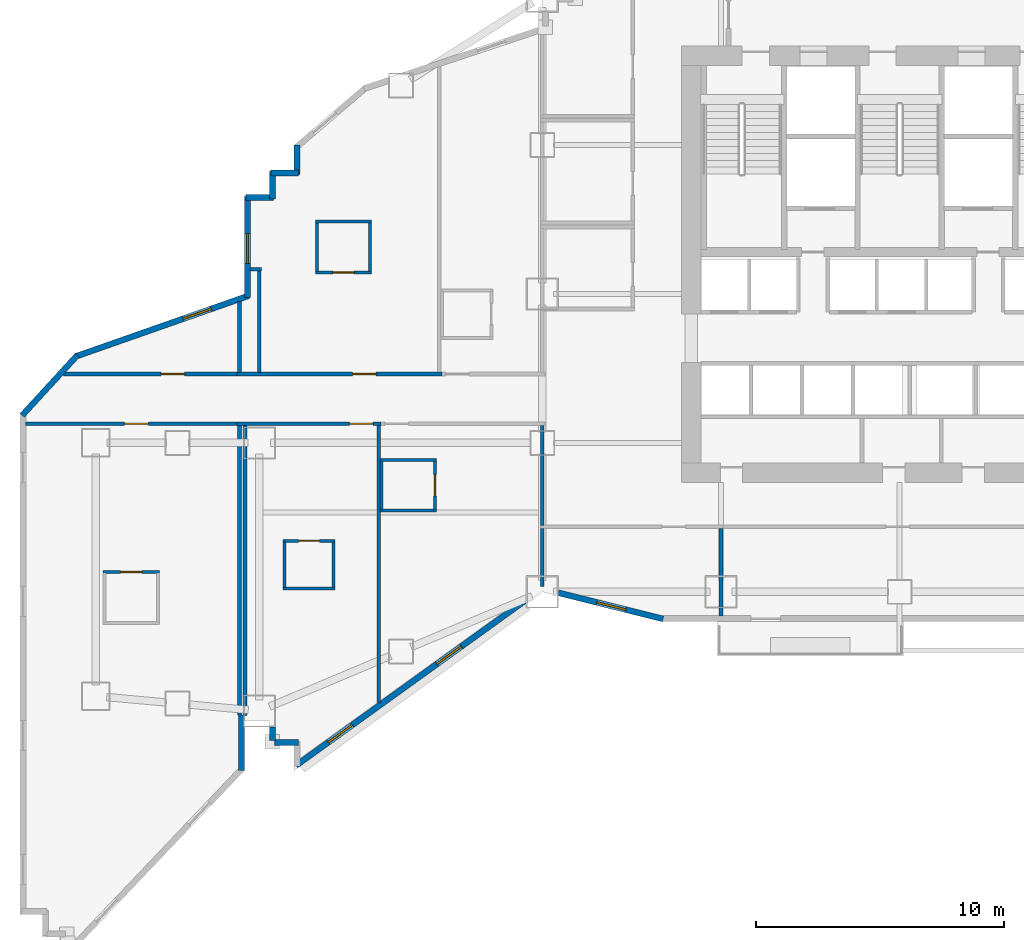
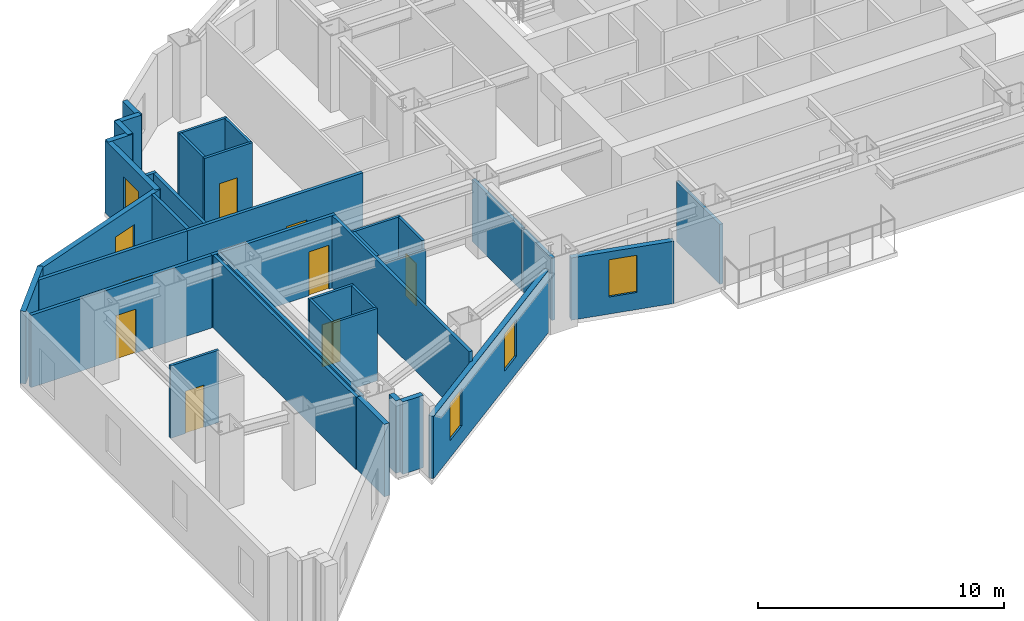
# One storey, part 7 of 17: 38 walls, 8 doors, 5 windows, 13 openings.
"""IFC4 building model written with IfcOpenShell, lengths in metres."""

from ifc_helpers import new_model, si_unit, direction, frame, frame_2d, origin, place, context, subcontext, project, spatial, rectangle, extrude, material, layer, layer_set, type_object, element, fill, save


model = new_model("IFC4")

# Units and contexts
model_context = context("Model", 3, precision=1e-05, world=origin(), true_north=direction((0.0, 1.0)))
body_context = subcontext(model_context, "Body", "Model", "MODEL_VIEW")
ifc_project = project(units=[si_unit("LENGTHUNIT", "METRE"), si_unit("AREAUNIT", "SQUARE_METRE"), si_unit("VOLUMEUNIT", "CUBIC_METRE"), si_unit("PLANEANGLEUNIT", "RADIAN"), si_unit("MASSUNIT", "GRAM", prefix="KILO")], contexts=[model_context])

# Site, building, storey
site_placement = place(None, origin())
site = spatial("IfcSite", under=ifc_project, at=site_placement, CompositionType="ELEMENT")
building_placement = place(site_placement, origin())
building = spatial("IfcBuilding", under=site, at=building_placement, Name="Haolan Belvedere Tower", CompositionType="ELEMENT")
storey_placement = place(building_placement, frame((0.0, 0.0, 31.60009765625)))
storey = spatial("IfcBuildingStorey", under=building, at=storey_placement, Name="L07", CompositionType="ELEMENT", Elevation=31.60009765625)

# Walls
ifc_material_1 = material(Name="Precast concrete C40/50", Category="concrete")
ifc_layer_1 = layer(ifc_material_1, 0.239990234375, Name="Precast concrete C40/50")
ifc_layer_set_1 = layer_set([ifc_layer_1], Name="Precast concrete C40/50")
wall_type_1 = type_object("IfcWallType", Name="WL-EXT-240", PredefinedType="SOLIDWALL", material=ifc_layer_set_1)
wall_1_placement = place(storey_placement, frame((11.8798828125, 14.39306640625, 0.0), z_axis=(0.0, 0.0, 1.0), x_axis=(0.0, 1.0, 0.0)))
element("IfcWall", 1, at=wall_1_placement, inside=storey, type_object=wall_type_1, Name="L07 pale-metal exterior spandrel wall 6.1", PredefinedType="SOLIDWALL", context=body_context, shape_type="SweptSolid", body=[
    extrude(rectangle(XDim=2.246826171875, YDim=0.239990234375, at=frame_2d((1.12353515625, 0.0))), origin(), (0.0, 0.0, 1.0), 3.599853515625),
])
wall_2_placement = place(storey_placement, frame((13.1201171875, 16.157958984375, 0.0), z_axis=(0.0, 0.0, 1.0), x_axis=(0.0, -1.0, 0.0)))
element("IfcWall", 2, at=wall_2_placement, inside=storey, type_object=wall_type_1, Name="L07 pale-metal exterior spandrel wall 8.1", PredefinedType="SOLIDWALL", context=body_context, shape_type="SweptSolid", body=[
    extrude(rectangle(XDim=0.552978515625, YDim=0.239990234375, at=frame_2d((0.2763671875, 0.0))), origin(), (0.0, 0.0, 1.0), 3.599853515625),
])
wall_3_placement = place(storey_placement, frame((13.205078125, 15.52001953125, 0.0), z_axis=(0.0, 0.0, 1.0), x_axis=(1.0, 0.0, 0.0)))
element("IfcWall", 3, at=wall_3_placement, inside=storey, type_object=wall_type_1, Name="L07 pale-metal exterior spandrel wall 9.1", PredefinedType="SOLIDWALL", context=body_context, shape_type="SweptSolid", body=[
    extrude(rectangle(XDim=0.969970703125, YDim=0.239990234375, at=frame_2d((0.48486328125, 0.0))), origin(), (0.0, 0.0, 1.0), 3.599853515625),
])

# Wall, openings, windows
wall_4_placement = place(storey_placement, frame((14.075439453125, 14.602294921875, 0.0), z_axis=(0.0, 0.0, 1.0), x_axis=(0.811535555989, 0.584303038984, 0.0)))
wall_4 = element("IfcWall", 4, at=wall_4_placement, inside=storey, type_object=wall_type_1, Name="L07 pale-metal exterior spandrel wall 11.1", PredefinedType="SOLIDWALL", context=body_context, shape_type="SweptSolid", body=[
    extrude(rectangle(XDim=11.438232421875, YDim=0.239990234375, at=frame_2d((5.71923828125, 0.0))), origin(), (0.0, 0.0, 1.0), 3.096923828125),
])
opening_1_placement = place(wall_4_placement, frame((1.60009765625, 0.0, 0.85009765625)))
opening_1 = element("IfcOpeningElement", 5, at=opening_1_placement, cuts=wall_4, Name="Opening W-01", PredefinedType="OPENING", context=body_context, shape_type="SweptSolid", body=[
    extrude(rectangle(XDim=1.199951171875, YDim=1.85009765625, at=frame_2d((0.60009765625, 0.925048828125))), frame((0.0, 0.1298828125, 0.0), z_axis=(0.0, -1.0, 0.0), x_axis=(1.0, 0.0, 0.0)), (0.0, 0.0, 1.0), 0.260009765625),
])
opening_2_placement = place(wall_4_placement, frame((7.0, 0.0, 0.85009765625)))
opening_2 = element("IfcOpeningElement", 6, at=opening_2_placement, cuts=wall_4, Name="Opening W-01", PredefinedType="OPENING", context=body_context, shape_type="SweptSolid", body=[
    extrude(rectangle(XDim=1.199951171875, YDim=1.85009765625, at=frame_2d((0.60009765625, 0.925048828125))), frame((0.0, 0.1298828125, 0.0), z_axis=(0.0, -1.0, 0.0), x_axis=(1.0, 0.0, 0.0)), (0.0, 0.0, 1.0), 0.260009765625),
])
ifc_material_2 = material(Name="Anodised aluminium 6063-T6 and Low-E glass", Category="aluminium")
window_type = type_object("IfcWindowType", Name="WN-DECO-Z1", PartitioningType="SINGLE_PANEL", PredefinedType="WINDOW", material=ifc_material_2)
window_1_placement = place(opening_1_placement, origin())
window_1 = element("IfcWindow", 7, at=window_1_placement, inside=storey, type_object=window_type, Name="L07 Art Deco chevron window 1", OverallHeight=1.85009765625, OverallWidth=1.199951171875, PartitioningType="SINGLE_PANEL", PredefinedType="WINDOW", context=body_context, shape_type="SweptSolid", body=[
    extrude(rectangle(XDim=1.199951171875, YDim=1.85009765625, at=frame_2d((0.60009765625, 0.925048828125))), frame((0.0, 0.030029296875, 0.0), z_axis=(0.0, -1.0, 0.0), x_axis=(1.0, 0.0, 0.0)), (0.0, 0.0, 1.0), 0.06005859375),
])
fill(opening_1, window_1)
window_2_placement = place(opening_2_placement, origin())
window_2 = element("IfcWindow", 8, at=window_2_placement, inside=storey, type_object=window_type, Name="L07 Art Deco chevron window 2", OverallHeight=1.85009765625, OverallWidth=1.199951171875, PartitioningType="SINGLE_PANEL", PredefinedType="WINDOW", context=body_context, shape_type="SweptSolid", body=[
    extrude(rectangle(XDim=1.199951171875, YDim=1.85009765625, at=frame_2d((0.60009765625, 0.925048828125))), frame((0.0, 0.030029296875, 0.0), z_axis=(0.0, -1.0, 0.0), x_axis=(1.0, 0.0, 0.0)), (0.0, 0.0, 1.0), 0.06005859375),
])
fill(opening_2, window_2)

# Wall, opening, window
wall_5_placement = place(storey_placement, frame((24.64208984375, 21.563232421875, 0.0), z_axis=(0.0, 0.0, 1.0), x_axis=(0.970135906278, -0.242561998982, 0.0)))
wall_5 = element("IfcWall", 9, at=wall_5_placement, inside=storey, type_object=wall_type_1, Name="L07 pale-metal exterior spandrel wall 12.1", PredefinedType="SOLIDWALL", context=body_context, shape_type="SweptSolid", body=[
    extrude(rectangle(XDim=4.356201171875, YDim=0.239990234375, at=frame_2d((2.17822265625, 0.0))), origin(), (0.0, 0.0, 1.0), 3.096923828125),
])
opening_3_placement = place(wall_5_placement, frame((1.60009765625, 0.0, 0.85009765625)))
opening_3 = element("IfcOpeningElement", 10, at=opening_3_placement, cuts=wall_5, Name="Opening W-01", PredefinedType="OPENING", context=body_context, shape_type="SweptSolid", body=[
    extrude(rectangle(XDim=1.199951171875, YDim=1.85009765625, at=frame_2d((0.60009765625, 0.925048828125))), frame((0.0, 0.1298828125, 0.0), z_axis=(0.0, -1.0, 0.0), x_axis=(1.0, 0.0, 0.0)), (0.0, 0.0, 1.0), 0.260009765625),
])
window_3_placement = place(opening_3_placement, origin())
window_3 = element("IfcWindow", 11, at=window_3_placement, inside=storey, type_object=window_type, Name="L07 Art Deco chevron window 1", OverallHeight=1.85009765625, OverallWidth=1.199951171875, PartitioningType="SINGLE_PANEL", PredefinedType="WINDOW", context=body_context, shape_type="SweptSolid", body=[
    extrude(rectangle(XDim=1.199951171875, YDim=1.85009765625, at=frame_2d((0.60009765625, 0.925048828125))), frame((0.0, 0.030029296875, 0.0), z_axis=(0.0, -1.0, 0.0), x_axis=(1.0, 0.0, 0.0)), (0.0, 0.0, 1.0), 0.06005859375),
])
fill(opening_3, window_3)

# Walls
wall_6_placement = place(storey_placement, frame((14.1201171875, 39.599853515625, 0.0), z_axis=(0.0, 0.0, 1.0), x_axis=(0.0, -1.0, 0.0)))
element("IfcWall", 12, at=wall_6_placement, inside=storey, type_object=wall_type_1, Name="L07 pale-metal exterior spandrel wall 52.1", PredefinedType="SOLIDWALL", context=body_context, shape_type="SweptSolid", body=[
    extrude(rectangle(XDim=1.1748046875, YDim=0.239990234375, at=frame_2d((0.58740234375, 0.0))), origin(), (0.0, 0.0, 1.0), 3.599853515625),
])
wall_7_placement = place(storey_placement, frame((14.175048828125, 38.47998046875, 0.0), z_axis=(0.0, 0.0, 1.0), x_axis=(-1.0, 0.0, 0.0)))
element("IfcWall", 13, at=wall_7_placement, inside=storey, type_object=wall_type_1, Name="L07 pale-metal exterior spandrel wall 53.1", PredefinedType="SOLIDWALL", context=body_context, shape_type="SweptSolid", body=[
    extrude(rectangle(XDim=1.110107421875, YDim=0.239990234375, at=frame_2d((0.55517578125, 0.0))), origin(), (0.0, 0.0, 1.0), 3.599853515625),
])
wall_8_placement = place(storey_placement, frame((13.1201171875, 38.534912109375, 0.0), z_axis=(0.0, 0.0, 1.0), x_axis=(0.0, -1.0, 0.0)))
element("IfcWall", 14, at=wall_8_placement, inside=storey, type_object=wall_type_1, Name="L07 pale-metal exterior spandrel wall 54.1", PredefinedType="SOLIDWALL", context=body_context, shape_type="SweptSolid", body=[
    extrude(rectangle(XDim=1.10986328125, YDim=0.239990234375, at=frame_2d((0.554931640625, 0.0))), origin(), (0.0, 0.0, 1.0), 3.599853515625),
])
wall_9_placement = place(storey_placement, frame((13.175048828125, 37.47998046875, 0.0), z_axis=(0.0, 0.0, 1.0), x_axis=(-1.0, 0.0, 0.0)))
element("IfcWall", 15, at=wall_9_placement, inside=storey, type_object=wall_type_1, Name="L07 pale-metal exterior spandrel wall 55.1", PredefinedType="SOLIDWALL", context=body_context, shape_type="SweptSolid", body=[
    extrude(rectangle(XDim=1.110107421875, YDim=0.239990234375, at=frame_2d((0.55517578125, 0.0))), origin(), (0.0, 0.0, 1.0), 3.599853515625),
])

# Wall, opening, window
wall_10_placement = place(storey_placement, frame((12.1201171875, 37.534912109375, 0.0), z_axis=(0.0, 0.0, 1.0), x_axis=(0.0, -1.0, 0.0)))
wall_10 = element("IfcWall", 16, at=wall_10_placement, inside=storey, type_object=wall_type_1, Name="L07 pale-metal exterior spandrel wall 56.1", PredefinedType="SOLIDWALL", context=body_context, shape_type="SweptSolid", body=[
    extrude(rectangle(XDim=4.074951171875, YDim=0.239990234375, at=frame_2d((2.03759765625, 0.0))), origin(), (0.0, 0.0, 1.0), 3.599853515625),
])
opening_4_placement = place(wall_10_placement, frame((1.5, 0.0, 0.85009765625)))
opening_4 = element("IfcOpeningElement", 17, at=opening_4_placement, cuts=wall_10, Name="Opening W-01", PredefinedType="OPENING", context=body_context, shape_type="SweptSolid", body=[
    extrude(rectangle(XDim=1.199951171875, YDim=1.85009765625, at=frame_2d((0.60009765625, 0.925048828125))), frame((0.0, 0.1298828125, 0.0), z_axis=(0.0, -1.0, 0.0), x_axis=(1.0, 0.0, 0.0)), (0.0, 0.0, 1.0), 0.260009765625),
])
window_4_placement = place(opening_4_placement, origin())
window_4 = element("IfcWindow", 18, at=window_4_placement, inside=storey, type_object=window_type, Name="L07 Art Deco chevron window 1", OverallHeight=1.85009765625, OverallWidth=1.199951171875, PartitioningType="SINGLE_PANEL", PredefinedType="WINDOW", context=body_context, shape_type="SweptSolid", body=[
    extrude(rectangle(XDim=1.199951171875, YDim=1.85009765625, at=frame_2d((0.60009765625, 0.925048828125))), frame((0.0, 0.030029296875, 0.0), z_axis=(0.0, -1.0, 0.0), x_axis=(1.0, 0.0, 0.0)), (0.0, 0.0, 1.0), 0.06005859375),
])
fill(opening_4, window_4)

wall_11_placement = place(storey_placement, frame((12.171875, 33.533203125, 0.0), z_axis=(0.0, 0.0, 1.0), x_axis=(-0.943600343117, -0.331086684222, 0.0)))
wall_11 = element("IfcWall", 19, at=wall_11_placement, inside=storey, type_object=wall_type_1, Name="L07 pale-metal exterior spandrel wall 57.1", PredefinedType="SOLIDWALL", context=body_context, shape_type="SweptSolid", body=[
    extrude(rectangle(XDim=7.413818359375, YDim=0.239990234375, at=frame_2d((3.70703125, 0.0))), origin(), (0.0, 0.0, 1.0), 3.599853515625),
])
opening_5_placement = place(wall_11_placement, frame((1.60009765625, 0.0, 0.85009765625)))
opening_5 = element("IfcOpeningElement", 20, at=opening_5_placement, cuts=wall_11, Name="Opening W-01", PredefinedType="OPENING", context=body_context, shape_type="SweptSolid", body=[
    extrude(rectangle(XDim=1.199951171875, YDim=1.85009765625, at=frame_2d((0.60009765625, 0.925048828125))), frame((0.0, 0.1298828125, 0.0), z_axis=(0.0, -1.0, 0.0), x_axis=(1.0, 0.0, 0.0)), (0.0, 0.0, 1.0), 0.260009765625),
])
window_5_placement = place(opening_5_placement, origin())
window_5 = element("IfcWindow", 21, at=window_5_placement, inside=storey, type_object=window_type, Name="L07 Art Deco chevron window 1", OverallHeight=1.85009765625, OverallWidth=1.199951171875, PartitioningType="SINGLE_PANEL", PredefinedType="WINDOW", context=body_context, shape_type="SweptSolid", body=[
    extrude(rectangle(XDim=1.199951171875, YDim=1.85009765625, at=frame_2d((0.60009765625, 0.925048828125))), frame((0.0, 0.030029296875, 0.0), z_axis=(0.0, -1.0, 0.0), x_axis=(1.0, 0.0, 0.0)), (0.0, 0.0, 1.0), 0.06005859375),
])
fill(opening_5, window_5)

# Walls
wall_12_placement = place(storey_placement, frame((5.265380859375, 31.13720703125, 0.0), z_axis=(0.0, 0.0, 1.0), x_axis=(-0.675785130265, -0.737098675696, 0.0)))
element("IfcWall", 22, at=wall_12_placement, inside=storey, type_object=wall_type_1, Name="L07 pale-metal exterior spandrel wall 58.1", PredefinedType="SOLIDWALL", context=body_context, shape_type="SweptSolid", body=[
    extrude(rectangle(XDim=3.2890625, YDim=0.239990234375, at=frame_2d((1.64453125, 0.0))), origin(), (0.0, 0.0, 1.0), 3.599853515625),
])
ifc_material_3 = material(Name="Double gypsum acoustic stud partition", Category="masonry")
ifc_layer_2 = layer(ifc_material_3, 0.14990234375, Name="Double gypsum acoustic stud partition")
ifc_layer_set_2 = layer_set([ifc_layer_2], Name="Double gypsum acoustic stud partition")
wall_type_2 = type_object("IfcWallType", Name="WL-PART-150", PredefinedType="PARTITIONING", material=ifc_layer_set_2)
wall_13_placement = place(storey_placement, frame((24.0, 21.818603515625, 0.0), z_axis=(0.0, 0.0, 1.0), x_axis=(0.0, 1.0, 0.0)))
element("IfcWall", 23, at=wall_13_placement, inside=storey, type_object=wall_type_2, Name="L07 interior partition IW-L07-KS1-W", PredefinedType="PARTITIONING", context=body_context, shape_type="SweptSolid", body=[
    extrude(rectangle(XDim=2.34130859375, YDim=0.14990234375, at=frame_2d((1.170654296875, 0.0))), origin(), (0.0, 0.0, 1.0), 3.096923828125),
])
wall_14_placement = place(storey_placement, frame((31.199951171875, 20.625, 0.0), z_axis=(0.0, 0.0, 1.0), x_axis=(0.0, 1.0, 0.0)))
element("IfcWall", 24, at=wall_14_placement, inside=storey, type_object=wall_type_2, Name="L07 interior partition IW-L07-KS1-E", PredefinedType="PARTITIONING", context=body_context, shape_type="SweptSolid", body=[
    extrude(rectangle(XDim=3.534912109375, YDim=0.14990234375, at=frame_2d((1.767578125, 0.0))), origin(), (0.0, 0.0, 1.0), 2.98486328125),
])

# Wall, opening, door
wall_15_placement = place(storey_placement, frame((11.699951171875, 30.3798828125, 0.0), z_axis=(0.0, 0.0, 1.0), x_axis=(1.0, 0.0, 0.0)))
wall_15 = element("IfcWall", 25, at=wall_15_placement, inside=storey, type_object=wall_type_2, Name="L07 interior partition IW-L07-T2N1-S", PredefinedType="PARTITIONING", context=body_context, shape_type="SweptSolid", body=[
    extrude(rectangle(XDim=8.25, YDim=0.14990234375, at=frame_2d((4.125, 0.0))), origin(), (0.0, 0.0, 1.0), 3.599853515625),
])
opening_6_placement = place(wall_15_placement, frame((4.657470703125, 0.0, 0.0)))
opening_6 = element("IfcOpeningElement", 26, at=opening_6_placement, cuts=wall_15, Name="Opening ID-01", PredefinedType="OPENING", context=body_context, shape_type="SweptSolid", body=[
    extrude(rectangle(XDim=0.949951171875, YDim=2.179931640625, at=frame_2d((0.47509765625, 1.08984375))), frame((0.0, 0.0849609375, 0.0), z_axis=(0.0, -1.0, 0.0), x_axis=(1.0, 0.0, 0.0)), (0.0, 0.0, 1.0), 0.169921875),
])
ifc_material_4 = material(Name="Acoustic walnut veneer fire-rated timber", Category="wood")
door_type_1 = type_object("IfcDoorType", Name="DR-SUITE-950", OperationType="NOTDEFINED", PredefinedType="DOOR", material=ifc_material_4)
door_1_placement = place(opening_6_placement, origin())
door_1 = element("IfcDoor", 27, at=door_1_placement, inside=storey, type_object=door_type_1, Name="L07 door ID-L07-T2N1-ENT", OperationType="SINGLE_SWING_RIGHT", OverallHeight=2.179931640625, OverallWidth=0.949951171875, PredefinedType="DOOR", context=body_context, shape_type="SweptSolid", body=[
    extrude(rectangle(XDim=0.949951171875, YDim=2.179931640625, at=frame_2d((0.47509765625, 1.08984375))), frame((0.0, 0.02490234375, 0.0), z_axis=(0.0, -1.0, 0.0), x_axis=(1.0, 0.0, 0.0)), (0.0, 0.0, 1.0), 0.050048828125),
])
fill(opening_6, door_1)

# Wall
wall_16_placement = place(storey_placement, frame((11.800048828125, 30.43994140625, 0.0), z_axis=(0.0, 0.0, 1.0), x_axis=(0.0, 1.0, 0.0)))
element("IfcWall", 28, at=wall_16_placement, inside=storey, type_object=wall_type_2, Name="L07 interior partition IW-L07-T2N1-W", PredefinedType="PARTITIONING", context=body_context, shape_type="SweptSolid", body=[
    extrude(rectangle(XDim=2.851318359375, YDim=0.14990234375, at=frame_2d((1.42578125, 0.0))), origin(), (0.0, 0.0, 1.0), 3.599853515625),
])

# Wall, opening, door
wall_17_placement = place(storey_placement, frame((11.699951171875, 28.3701171875, 0.0), z_axis=(0.0, 0.0, 1.0), x_axis=(1.0, 0.0, 0.0)))
wall_17 = element("IfcWall", 29, at=wall_17_placement, inside=storey, type_object=wall_type_2, Name="L07 interior partition IW-L07-T2S1-N", PredefinedType="PARTITIONING", context=body_context, shape_type="SweptSolid", body=[
    extrude(rectangle(XDim=5.81005859375, YDim=0.14990234375, at=frame_2d((2.905029296875, 0.0))), origin(), (0.0, 0.0, 1.0), 3.599853515625),
])
opening_7_placement = place(wall_17_placement, frame((5.48779296875, 0.0, 0.0), z_axis=(0.0, 0.0, 1.0), x_axis=(-1.0, 0.0, 0.0)))
opening_7 = element("IfcOpeningElement", 30, at=opening_7_placement, cuts=wall_17, Name="Opening ID-01", PredefinedType="OPENING", context=body_context, shape_type="SweptSolid", body=[
    extrude(rectangle(XDim=0.949951171875, YDim=2.179931640625, at=frame_2d((0.47509765625, 1.08984375))), frame((0.0, 0.0849609375, 0.0), z_axis=(0.0, -1.0, 0.0), x_axis=(1.0, 0.0, 0.0)), (0.0, 0.0, 1.0), 0.169921875),
])
door_2_placement = place(opening_7_placement, origin())
door_2 = element("IfcDoor", 31, at=door_2_placement, inside=storey, type_object=door_type_1, Name="L07 door ID-L07-T2S1-ENT", OperationType="SINGLE_SWING_RIGHT", OverallHeight=2.179931640625, OverallWidth=0.949951171875, PredefinedType="DOOR", context=body_context, shape_type="SweptSolid", body=[
    extrude(rectangle(XDim=0.949951171875, YDim=2.179931640625, at=frame_2d((0.47509765625, 1.08984375))), frame((0.0, 0.02490234375, 0.0), z_axis=(0.0, -1.0, 0.0), x_axis=(1.0, 0.0, 0.0)), (0.0, 0.0, 1.0), 0.050048828125),
])
fill(opening_7, door_2)

# Walls
wall_18_placement = place(storey_placement, frame((11.800048828125, 16.64208984375, 0.0), z_axis=(0.0, 0.0, 1.0), x_axis=(0.0, 1.0, 0.0)))
element("IfcWall", 32, at=wall_18_placement, inside=storey, type_object=wall_type_2, Name="L07 interior partition IW-L07-T2S1-W", PredefinedType="PARTITIONING", context=body_context, shape_type="SweptSolid", body=[
    extrude(rectangle(XDim=11.66796875, YDim=0.14990234375, at=frame_2d((5.833984375, 0.0))), origin(), (0.0, 0.0, 1.0), 3.599853515625),
])
wall_19_placement = place(storey_placement, frame((17.409912109375, 17.132568359375, 0.0), z_axis=(0.0, 0.0, 1.0), x_axis=(0.0, 1.0, 0.0)))
element("IfcWall", 33, at=wall_19_placement, inside=storey, type_object=wall_type_2, Name="L07 interior partition IW-L07-T2S1-E", PredefinedType="PARTITIONING", context=body_context, shape_type="SweptSolid", body=[
    extrude(rectangle(XDim=11.177490234375, YDim=0.14990234375, at=frame_2d((5.5888671875, 0.0))), origin(), (0.0, 0.0, 1.0), 3.599853515625),
])
wall_20_placement = place(storey_placement, frame((24.0, 24.280029296875, 0.0), z_axis=(0.0, 0.0, 1.0), x_axis=(0.0, 1.0, 0.0)))
element("IfcWall", 34, at=wall_20_placement, inside=storey, type_object=wall_type_2, Name="L07 interior partition IW-L07-T2S2-E", PredefinedType="PARTITIONING", context=body_context, shape_type="SweptSolid", body=[
    extrude(rectangle(XDim=4.030029296875, YDim=0.14990234375, at=frame_2d((2.01513671875, 0.0))), origin(), (0.0, 0.0, 1.0), 3.096923828125),
])

# Wall, opening, door
wall_21_placement = place(storey_placement, frame((3.18505859375, 28.3701171875, 0.0), z_axis=(0.0, 0.0, 1.0), x_axis=(1.0, 0.0, 0.0)))
wall_21 = element("IfcWall", 35, at=wall_21_placement, inside=storey, type_object=wall_type_2, Name="L07 interior partition IW-L07-T1S1-N", PredefinedType="PARTITIONING", context=body_context, shape_type="SweptSolid", body=[
    extrude(rectangle(XDim=8.512939453125, YDim=0.14990234375, at=frame_2d((4.25634765625, 0.0))), origin(), (0.0, 0.0, 1.0), 3.599853515625),
])
opening_8_placement = place(wall_21_placement, frame((4.937255859375, 0.0, 0.0), z_axis=(0.0, 0.0, 1.0), x_axis=(-1.0, 0.0, 0.0)))
opening_8 = element("IfcOpeningElement", 36, at=opening_8_placement, cuts=wall_21, Name="Opening ID-01", PredefinedType="OPENING", context=body_context, shape_type="SweptSolid", body=[
    extrude(rectangle(XDim=0.949951171875, YDim=2.179931640625, at=frame_2d((0.47509765625, 1.08984375))), frame((0.0, 0.0849609375, 0.0), z_axis=(0.0, -1.0, 0.0), x_axis=(1.0, 0.0, 0.0)), (0.0, 0.0, 1.0), 0.169921875),
])
door_3_placement = place(opening_8_placement, origin())
door_3 = element("IfcDoor", 37, at=door_3_placement, inside=storey, type_object=door_type_1, Name="L07 door ID-L07-T1S1-ENT", OperationType="SINGLE_SWING_RIGHT", OverallHeight=2.179931640625, OverallWidth=0.949951171875, PredefinedType="DOOR", context=body_context, shape_type="SweptSolid", body=[
    extrude(rectangle(XDim=0.949951171875, YDim=2.179931640625, at=frame_2d((0.47509765625, 1.08984375))), frame((0.0, 0.02490234375, 0.0), z_axis=(0.0, -1.0, 0.0), x_axis=(1.0, 0.0, 0.0)), (0.0, 0.0, 1.0), 0.050048828125),
])
fill(opening_8, door_3)

# Walls
wall_22_placement = place(storey_placement, frame((12.02001953125, 16.612060546875, 0.0), z_axis=(0.0, 0.0, 1.0), x_axis=(0.0, 1.0, 0.0)))
element("IfcWall", 38, at=wall_22_placement, inside=storey, type_object=wall_type_2, Name="L07 interior partition IW-L07-T1S1-E", PredefinedType="PARTITIONING", context=body_context, shape_type="SweptSolid", body=[
    extrude(rectangle(XDim=11.697998046875, YDim=0.14990234375, at=frame_2d((5.84912109375, 0.0))), origin(), (0.0, 0.0, 1.0), 3.599853515625),
])
wall_23_placement = place(storey_placement, frame((12.22509765625, 34.60009765625, 0.0), z_axis=(0.0, 0.0, 1.0), x_axis=(1.0, 0.0, 0.0)))
element("IfcWall", 39, at=wall_23_placement, inside=storey, type_object=wall_type_2, Name="L07 interior partition IW-L07-T1N1-N", PredefinedType="PARTITIONING", context=body_context, shape_type="SweptSolid", body=[
    extrude(rectangle(XDim=0.454833984375, YDim=0.14990234375, at=frame_2d((0.2275390625, 0.0))), origin(), (0.0, 0.0, 1.0), 3.599853515625),
])

# Wall, opening, door
wall_24_placement = place(storey_placement, frame((4.713623046875, 30.3798828125, 0.0), z_axis=(0.0, 0.0, 1.0), x_axis=(1.0, 0.0, 0.0)))
wall_24 = element("IfcWall", 40, at=wall_24_placement, inside=storey, type_object=wall_type_2, Name="L07 interior partition IW-L07-T1N1-S", PredefinedType="PARTITIONING", context=body_context, shape_type="SweptSolid", body=[
    extrude(rectangle(XDim=6.984375, YDim=0.14990234375, at=frame_2d((3.4921875, 0.0))), origin(), (0.0, 0.0, 1.0), 3.599853515625),
])
opening_9_placement = place(wall_24_placement, frame((3.923828125, 0.0, 0.0)))
opening_9 = element("IfcOpeningElement", 41, at=opening_9_placement, cuts=wall_24, Name="Opening ID-03", PredefinedType="OPENING", context=body_context, shape_type="SweptSolid", body=[
    extrude(rectangle(XDim=0.949951171875, YDim=2.1201171875, at=frame_2d((0.47509765625, 1.06005859375))), frame((0.0, 0.0849609375, 0.0), z_axis=(0.0, -1.0, 0.0), x_axis=(1.0, 0.0, 0.0)), (0.0, 0.0, 1.0), 0.169921875),
])
ifc_material_5 = material(Name="Painted solid-core timber", Category="wood")
door_type_2 = type_object("IfcDoorType", Name="DR-INT-950", OperationType="NOTDEFINED", PredefinedType="DOOR", material=ifc_material_5)
door_4_placement = place(opening_9_placement, origin())
door_4 = element("IfcDoor", 42, at=door_4_placement, inside=storey, type_object=door_type_2, Name="L07 door ID-L07-T1N1", OperationType="SINGLE_SWING_RIGHT", OverallHeight=2.1201171875, OverallWidth=0.949951171875, PredefinedType="DOOR", context=body_context, shape_type="SweptSolid", body=[
    extrude(rectangle(XDim=0.949951171875, YDim=2.1201171875, at=frame_2d((0.47509765625, 1.06005859375))), frame((0.0, 0.02490234375, 0.0), z_axis=(0.0, -1.0, 0.0), x_axis=(1.0, 0.0, 0.0)), (0.0, 0.0, 1.0), 0.050048828125),
])
fill(opening_9, door_4)

# Walls
wall_25_placement = place(storey_placement, frame((12.60009765625, 30.43994140625, 0.0), z_axis=(0.0, 0.0, 1.0), x_axis=(0.0, 1.0, 0.0)))
element("IfcWall", 43, at=wall_25_placement, inside=storey, type_object=wall_type_2, Name="L07 interior partition IW-L07-T1N1-E", PredefinedType="PARTITIONING", context=body_context, shape_type="SweptSolid", body=[
    extrude(rectangle(XDim=4.10009765625, YDim=0.14990234375, at=frame_2d((2.050048828125, 0.0))), origin(), (0.0, 0.0, 1.0), 3.599853515625),
])
ifc_material_6 = material(Name="Moisture-resistant gypsum tile partition", Category="masonry")
ifc_layer_3 = layer(ifc_material_6, 0.1201171875, Name="Moisture-resistant gypsum tile partition")
ifc_layer_set_3 = layer_set([ifc_layer_3], Name="Moisture-resistant gypsum tile partition")
wall_type_3 = type_object("IfcWallType", Name="WL-WET-120", PredefinedType="PARTITIONING", material=ifc_layer_set_3)
wall_26_placement = place(storey_placement, frame((14.85498046875, 36.513916015625, 0.0), z_axis=(0.0, 0.0, 1.0), x_axis=(1.0, 0.0, 0.0)))
element("IfcWall", 44, at=wall_26_placement, inside=storey, type_object=wall_type_3, Name="L07 interior partition IW-L07-T2N1-BN", PredefinedType="PARTITIONING", context=body_context, shape_type="SweptSolid", body=[
    extrude(rectangle(XDim=2.27001953125, YDim=0.1201171875, at=frame_2d((1.135009765625, 0.0))), origin(), (0.0, 0.0, 1.0), 3.599853515625),
])

# Wall, opening, door
wall_27_placement = place(storey_placement, frame((14.85498046875, 34.464111328125, 0.0), z_axis=(0.0, 0.0, 1.0), x_axis=(1.0, 0.0, 0.0)))
wall_27 = element("IfcWall", 45, at=wall_27_placement, inside=storey, type_object=wall_type_3, Name="L07 interior partition IW-L07-T2N1-BS", PredefinedType="PARTITIONING", context=body_context, shape_type="SweptSolid", body=[
    extrude(rectangle(XDim=2.27001953125, YDim=0.1201171875, at=frame_2d((1.135009765625, 0.0))), origin(), (0.0, 0.0, 1.0), 3.599853515625),
])
opening_10_placement = place(wall_27_placement, frame((0.7099609375, 0.0, 0.0)))
opening_10 = element("IfcOpeningElement", 46, at=opening_10_placement, cuts=wall_27, Name="Opening ID-05", PredefinedType="OPENING", context=body_context, shape_type="SweptSolid", body=[
    extrude(rectangle(XDim=0.85009765625, YDim=2.10009765625, at=frame_2d((0.425048828125, 1.050048828125))), frame((0.0, 0.070068359375, 0.0), z_axis=(0.0, -1.0, 0.0), x_axis=(1.0, 0.0, 0.0)), (0.0, 0.0, 1.0), 0.14013671875),
])
ifc_material_7 = material(Name="Moisture-resistant lacquered timber", Category="wood")
door_type_3 = type_object("IfcDoorType", Name="DR-BATH-850", OperationType="NOTDEFINED", PredefinedType="DOOR", material=ifc_material_7)
door_5_placement = place(opening_10_placement, origin())
door_5 = element("IfcDoor", 47, at=door_5_placement, inside=storey, type_object=door_type_3, Name="L07 door ID-L07-T2N1-BATH", OperationType="SINGLE_SWING_LEFT", OverallHeight=2.10009765625, OverallWidth=0.85009765625, PredefinedType="DOOR", context=body_context, shape_type="SweptSolid", body=[
    extrude(rectangle(XDim=0.85009765625, YDim=2.10009765625, at=frame_2d((0.425048828125, 1.050048828125))), frame((0.0, 0.02490234375, 0.0), z_axis=(0.0, -1.0, 0.0), x_axis=(1.0, 0.0, 0.0)), (0.0, 0.0, 1.0), 0.050048828125),
])
fill(opening_10, door_5)

# Walls
for number, where, z_axis, x_axis, name in (
    (48, (14.9150390625, 34.509033203125, 0.0), (0.0, 0.0, 1.0), (0.0, 1.0, 0.0), "L07 interior partition IW-L07-T2N1-BW"),
    (49, (17.06494140625, 34.509033203125, 0.0), (0.0, 0.0, 1.0), (0.0, 1.0, 0.0), "L07 interior partition IW-L07-T2N1-BE"),
):
    element("IfcWall", number, at=place(storey_placement, frame(where, z_axis=z_axis, x_axis=x_axis)), inside=storey, type_object=wall_type_3, Name=name, PredefinedType="PARTITIONING", context=body_context, shape_type="SweptSolid", body=[
        extrude(rectangle(XDim=1.9599609375, YDim=0.1201171875, at=frame_2d((0.97998046875, 0.0))), origin(), (0.0, 0.0, 1.0), 3.599853515625),
    ])

# Wall, opening, door
wall_28_placement = place(storey_placement, frame((13.554931640625, 23.653076171875, 0.0), z_axis=(0.0, 0.0, 1.0), x_axis=(1.0, 0.0, 0.0)))
wall_28 = element("IfcWall", 50, at=wall_28_placement, inside=storey, type_object=wall_type_3, Name="L07 interior partition IW-L07-T2S1-BN", PredefinedType="PARTITIONING", context=body_context, shape_type="SweptSolid", body=[
    extrude(rectangle(XDim=2.10009765625, YDim=0.1201171875, at=frame_2d((1.050048828125, 0.0))), origin(), (0.0, 0.0, 1.0), 3.599853515625),
])
opening_11_placement = place(wall_28_placement, frame((1.47509765625, 0.0, 0.0), z_axis=(0.0, 0.0, 1.0), x_axis=(-1.0, 0.0, 0.0)))
opening_11 = element("IfcOpeningElement", 51, at=opening_11_placement, cuts=wall_28, Name="Opening ID-05", PredefinedType="OPENING", context=body_context, shape_type="SweptSolid", body=[
    extrude(rectangle(XDim=0.85009765625, YDim=2.10009765625, at=frame_2d((0.425048828125, 1.050048828125))), frame((0.0, 0.070068359375, 0.0), z_axis=(0.0, -1.0, 0.0), x_axis=(1.0, 0.0, 0.0)), (0.0, 0.0, 1.0), 0.14013671875),
])
door_6_placement = place(opening_11_placement, origin())
door_6 = element("IfcDoor", 52, at=door_6_placement, inside=storey, type_object=door_type_3, Name="L07 door ID-L07-T2S1-BATH", OperationType="SINGLE_SWING_LEFT", OverallHeight=2.10009765625, OverallWidth=0.85009765625, PredefinedType="DOOR", context=body_context, shape_type="SweptSolid", body=[
    extrude(rectangle(XDim=0.85009765625, YDim=2.10009765625, at=frame_2d((0.425048828125, 1.050048828125))), frame((0.0, 0.02490234375, 0.0), z_axis=(0.0, -1.0, 0.0), x_axis=(1.0, 0.0, 0.0)), (0.0, 0.0, 1.0), 0.050048828125),
])
fill(opening_11, door_6)

# Walls
wall_29_placement = place(storey_placement, frame((13.554931640625, 21.73291015625, 0.0), z_axis=(0.0, 0.0, 1.0), x_axis=(1.0, 0.0, 0.0)))
element("IfcWall", 53, at=wall_29_placement, inside=storey, type_object=wall_type_3, Name="L07 interior partition IW-L07-T2S1-BS", PredefinedType="PARTITIONING", context=body_context, shape_type="SweptSolid", body=[
    extrude(rectangle(XDim=2.10009765625, YDim=0.1201171875, at=frame_2d((1.050048828125, 0.0))), origin(), (0.0, 0.0, 1.0), 3.599853515625),
])
for number, where, z_axis, x_axis, name in (
    (54, (13.614990234375, 21.778076171875, 0.0), (0.0, 0.0, 1.0), (0.0, 1.0, 0.0), "L07 interior partition IW-L07-T2S1-BW"),
    (55, (15.594970703125, 21.778076171875, 0.0), (0.0, 0.0, 1.0), (0.0, 1.0, 0.0), "L07 interior partition IW-L07-T2S1-BE"),
):
    element("IfcWall", number, at=place(storey_placement, frame(where, z_axis=z_axis, x_axis=x_axis)), inside=storey, type_object=wall_type_3, Name=name, PredefinedType="PARTITIONING", context=body_context, shape_type="SweptSolid", body=[
        extrude(rectangle(XDim=1.829833984375, YDim=0.1201171875, at=frame_2d((0.9150390625, 0.0))), origin(), (0.0, 0.0, 1.0), 3.599853515625),
    ])
wall_30_placement = place(storey_placement, frame((17.469970703125, 26.919921875, 0.0), z_axis=(0.0, 0.0, 1.0), x_axis=(1.0, 0.0, 0.0)))
element("IfcWall", 56, at=wall_30_placement, inside=storey, type_object=wall_type_3, Name="L07 interior partition IW-L07-T2S2-BN", PredefinedType="PARTITIONING", context=body_context, shape_type="SweptSolid", body=[
    extrude(rectangle(XDim=2.26513671875, YDim=0.1201171875, at=frame_2d((1.132568359375, 0.0))), origin(), (0.0, 0.0, 1.0), 3.599853515625),
])
wall_31_placement = place(storey_placement, frame((17.469970703125, 24.8701171875, 0.0), z_axis=(0.0, 0.0, 1.0), x_axis=(1.0, 0.0, 0.0)))
element("IfcWall", 57, at=wall_31_placement, inside=storey, type_object=wall_type_3, Name="L07 interior partition IW-L07-T2S2-BS", PredefinedType="PARTITIONING", context=body_context, shape_type="SweptSolid", body=[
    extrude(rectangle(XDim=2.26513671875, YDim=0.1201171875, at=frame_2d((1.132568359375, 0.0))), origin(), (0.0, 0.0, 1.0), 3.184814453125),
])
wall_32_placement = place(storey_placement, frame((17.52490234375, 24.9150390625, 0.0), z_axis=(0.0, 0.0, 1.0), x_axis=(0.0, 1.0, 0.0)))
element("IfcWall", 58, at=wall_32_placement, inside=storey, type_object=wall_type_3, Name="L07 interior partition IW-L07-T2S2-BW", PredefinedType="PARTITIONING", context=body_context, shape_type="SweptSolid", body=[
    extrude(rectangle(XDim=1.9599609375, YDim=0.1201171875, at=frame_2d((0.97998046875, 0.0))), origin(), (0.0, 0.0, 1.0), 3.599853515625),
])

# Wall, opening, door
wall_33_placement = place(storey_placement, frame((19.675048828125, 24.9150390625, 0.0), z_axis=(0.0, 0.0, 1.0), x_axis=(0.0, 1.0, 0.0)))
wall_33 = element("IfcWall", 59, at=wall_33_placement, inside=storey, type_object=wall_type_3, Name="L07 interior partition IW-L07-T2S2-BE", PredefinedType="PARTITIONING", context=body_context, shape_type="SweptSolid", body=[
    extrude(rectangle(XDim=1.9599609375, YDim=0.1201171875, at=frame_2d((0.97998046875, 0.0))), origin(), (0.0, 0.0, 1.0), 3.599853515625),
])
opening_12_placement = place(wall_33_placement, frame((0.554931640625, 0.0, 0.0)))
opening_12 = element("IfcOpeningElement", 60, at=opening_12_placement, cuts=wall_33, Name="Opening ID-05", PredefinedType="OPENING", context=body_context, shape_type="SweptSolid", body=[
    extrude(rectangle(XDim=0.85009765625, YDim=2.10009765625, at=frame_2d((0.425048828125, 1.050048828125))), frame((0.0, 0.070068359375, 0.0), z_axis=(0.0, -1.0, 0.0), x_axis=(1.0, 0.0, 0.0)), (0.0, 0.0, 1.0), 0.14013671875),
])
door_7_placement = place(opening_12_placement, origin())
door_7 = element("IfcDoor", 61, at=door_7_placement, inside=storey, type_object=door_type_3, Name="L07 door ID-L07-T2S2-BATH", OperationType="SINGLE_SWING_RIGHT", OverallHeight=2.10009765625, OverallWidth=0.85009765625, PredefinedType="DOOR", context=body_context, shape_type="SweptSolid", body=[
    extrude(rectangle(XDim=0.85009765625, YDim=2.10009765625, at=frame_2d((0.425048828125, 1.050048828125))), frame((0.0, 0.02490234375, 0.0), z_axis=(0.0, -1.0, 0.0), x_axis=(1.0, 0.0, 0.0)), (0.0, 0.0, 1.0), 0.050048828125),
])
fill(opening_12, door_7)

wall_34_placement = place(storey_placement, frame((6.302001953125, 22.39892578125, 0.0), z_axis=(0.0, 0.0, 1.0), x_axis=(1.0, 0.0, 0.0)))
wall_34 = element("IfcWall", 62, at=wall_34_placement, inside=storey, type_object=wall_type_3, Name="L07 interior partition IW-L07-T1S1-BN", PredefinedType="PARTITIONING", context=body_context, shape_type="SweptSolid", body=[
    extrude(rectangle(XDim=2.27001953125, YDim=0.1201171875, at=frame_2d((1.135009765625, 0.0))), origin(), (0.0, 0.0, 1.0), 3.599853515625),
])
opening_13_placement = place(wall_34_placement, frame((1.56005859375, 0.0, 0.0), z_axis=(0.0, 0.0, 1.0), x_axis=(-1.0, 0.0, 0.0)))
opening_13 = element("IfcOpeningElement", 63, at=opening_13_placement, cuts=wall_34, Name="Opening ID-05", PredefinedType="OPENING", context=body_context, shape_type="SweptSolid", body=[
    extrude(rectangle(XDim=0.85009765625, YDim=2.10009765625, at=frame_2d((0.425048828125, 1.050048828125))), frame((0.0, 0.070068359375, 0.0), z_axis=(0.0, -1.0, 0.0), x_axis=(1.0, 0.0, 0.0)), (0.0, 0.0, 1.0), 0.14013671875),
])
door_8_placement = place(opening_13_placement, origin())
door_8 = element("IfcDoor", 64, at=door_8_placement, inside=storey, type_object=door_type_3, Name="L07 door ID-L07-T1S1-BATH", OperationType="SINGLE_SWING_LEFT", OverallHeight=2.10009765625, OverallWidth=0.85009765625, PredefinedType="DOOR", context=body_context, shape_type="SweptSolid", body=[
    extrude(rectangle(XDim=0.85009765625, YDim=2.10009765625, at=frame_2d((0.425048828125, 1.050048828125))), frame((0.0, 0.02490234375, 0.0), z_axis=(0.0, -1.0, 0.0), x_axis=(1.0, 0.0, 0.0)), (0.0, 0.0, 1.0), 0.050048828125),
])
fill(opening_13, door_8)

save(model, "model.ifc")
